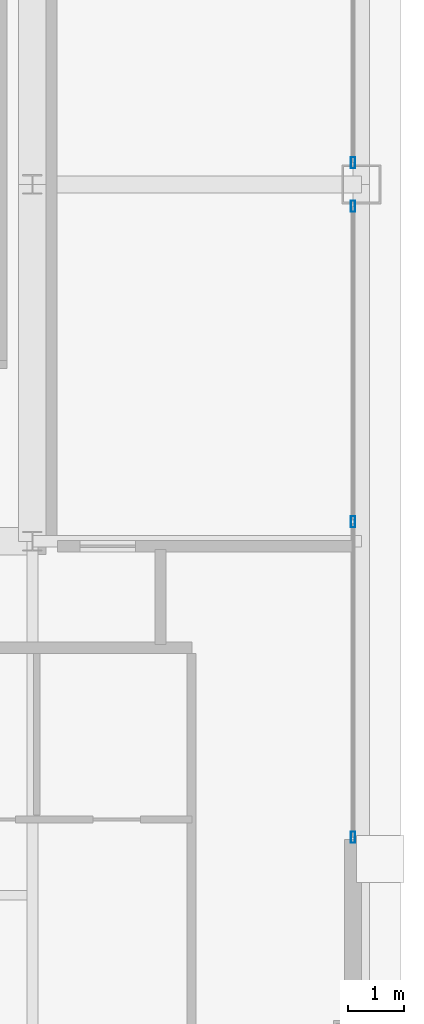
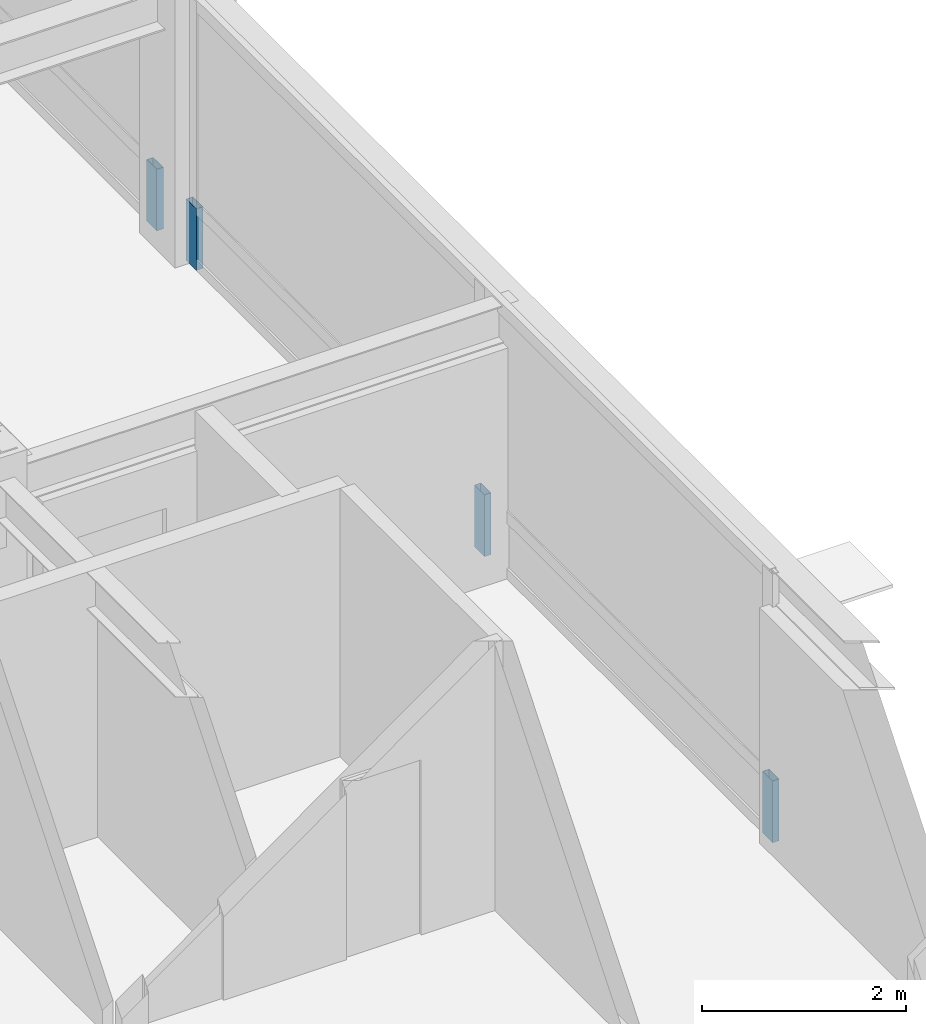
# One storey, part 25 of 35: 4 members, 2 elements without a shape of their own.
"""IFC4 building model written with IfcOpenShell, lengths in metres."""

from ifc_helpers import new_model, si_unit, direction, frame, origin, origin_2d, place, context, subcontext, project, spatial, hollow_rectangle, extrude, source, transform, mapped, material, layer, layer_set, material_profile, profile_set, type_object, element, aggregate, save


model = new_model("IFC4")

# Units and contexts
model_context = context("Model", 3, precision=1e-05, world=origin(), true_north=direction((0.0, 1.0)))
body_context = subcontext(model_context, "Body", "Model", "MODEL_VIEW")
ifc_project = project(units=[si_unit("LENGTHUNIT", "METRE"), si_unit("AREAUNIT", "SQUARE_METRE"), si_unit("VOLUMEUNIT", "CUBIC_METRE"), si_unit("PLANEANGLEUNIT", "RADIAN"), si_unit("MASSUNIT", "GRAM", prefix="KILO"), si_unit("THERMODYNAMICTEMPERATUREUNIT", "KELVIN"), si_unit("POWERUNIT", "WATT")], contexts=[model_context])

# Site, building, storey
site_placement = place(None, origin())
site = spatial("IfcSite", under=ifc_project, at=site_placement, CompositionType="ELEMENT")
building_placement = place(site_placement, origin())
building = spatial("IfcBuilding", under=site, at=building_placement, Name="Yuzanri Waterfront Tower", CompositionType="ELEMENT")
storey_placement = place(building_placement, frame((0.0, 0.0, 303.10009765625)))
storey = spatial("IfcBuildingStorey", under=building, at=storey_placement, Name="L81", CompositionType="ELEMENT", Elevation=303.10009765625)

# Curtain wall, members
ifc_material_1 = material(Name="Anodized Architectural Bronze", Category="metal")
ifc_layer = layer(ifc_material_1, 0.159912109375)
ifc_layer_set = layer_set([ifc_layer], Name="Anodized Architectural Bronze")
curtain_wall_type = type_object("IfcCurtainWallType", Name="Anodized Bronze High-Rise Penthouse High-Wind Unitized Curtain Wall 6900", PredefinedType="NOTDEFINED", material=ifc_layer_set)
curtain_wall_1_placement = place(storey_placement, origin())
curtain_wall_1 = element("IfcCurtainWall", 1, at=curtain_wall_1_placement, inside=storey, type_object=curtain_wall_type, Name="L81 Curtain Wall CW-L81-EL", PredefinedType="NOTDEFINED")
ifc_material_2 = material(Name="Anodized Architectural Bronze", Category="metal")
ifc_material_profile = material_profile(ifc_material_2, hollow_rectangle(XDim=0.074951171875, YDim=0.199951171875, WallThickness=0.00390625, at=origin_2d()), Name="CWM 75x200")
ifc_profile_set = profile_set([ifc_material_profile], Name="Anodized Architectural Bronze")
member_type = type_object("IfcMemberType", Name="Anodized Bronze Primary Curtain-Wall Mullion 75x200", PredefinedType="MULLION", material=ifc_profile_set)
shared_shape = source(origin(), body_context, "Body", "SweptSolid", [
    extrude(hollow_rectangle(XDim=0.074951171875, YDim=0.199951171875, WallThickness=0.00390625, at=origin_2d()), origin(), (0.0, 0.0, 1.0), 0.739013671875),
])
member_1_placement = place(storey_placement, frame((55.949951171875, 14.090087890625, 0.0), z_axis=(0.0, 0.0, 1.0), x_axis=(1.0, 0.0, 0.0)))
member_1 = element("IfcMember", 2, at=member_1_placement, type_object=member_type, Name="CW-L81-EL Lower Mullion 00", PredefinedType="MULLION", context=body_context, shape_type="MappedRepresentation", body=[
    mapped(shared_shape, transform((0.0, 0.0, 0.0), scale=1.0)),
])
member_2_placement = place(storey_placement, frame((55.949951171875, 19.75, 0.0), z_axis=(0.0, 0.0, 1.0), x_axis=(1.0, 0.0, 0.0)))
member_2 = element("IfcMember", 3, at=member_2_placement, type_object=member_type, Name="CW-L81-EL Lower Mullion 01", PredefinedType="MULLION", context=body_context, shape_type="MappedRepresentation", body=[
    mapped(shared_shape, transform((0.0, 0.0, 0.0), scale=1.0)),
])
member_3_placement = place(storey_placement, frame((55.949951171875, 25.409912109375, 0.0), z_axis=(0.0, 0.0, 1.0), x_axis=(1.0, 0.0, 0.0)))
member_3 = element("IfcMember", 4, at=member_3_placement, type_object=member_type, Name="CW-L81-EL Lower Mullion 02", PredefinedType="MULLION", context=body_context, shape_type="MappedRepresentation", body=[
    mapped(shared_shape, transform((0.0, 0.0, 0.0), scale=1.0)),
])
aggregate(curtain_wall_1, [member_1, member_2, member_3])

# Curtain wall, member
curtain_wall_2_placement = place(storey_placement, origin())
curtain_wall_2 = element("IfcCurtainWall", 5, at=curtain_wall_2_placement, inside=storey, type_object=curtain_wall_type, Name="L81 Curtain Wall CW-L81-ER", PredefinedType="NOTDEFINED")
member_4_placement = place(storey_placement, frame((55.949951171875, 26.18994140625, 0.0), z_axis=(0.0, 0.0, 1.0), x_axis=(1.0, 0.0, 0.0)))
member_4 = element("IfcMember", 6, at=member_4_placement, type_object=member_type, Name="CW-L81-ER Lower Mullion 00", PredefinedType="MULLION", context=body_context, shape_type="MappedRepresentation", body=[
    mapped(shared_shape, transform((0.0, 0.0, 0.0), scale=1.0)),
])
aggregate(curtain_wall_2, [member_4])

save(model, "model.ifc")
